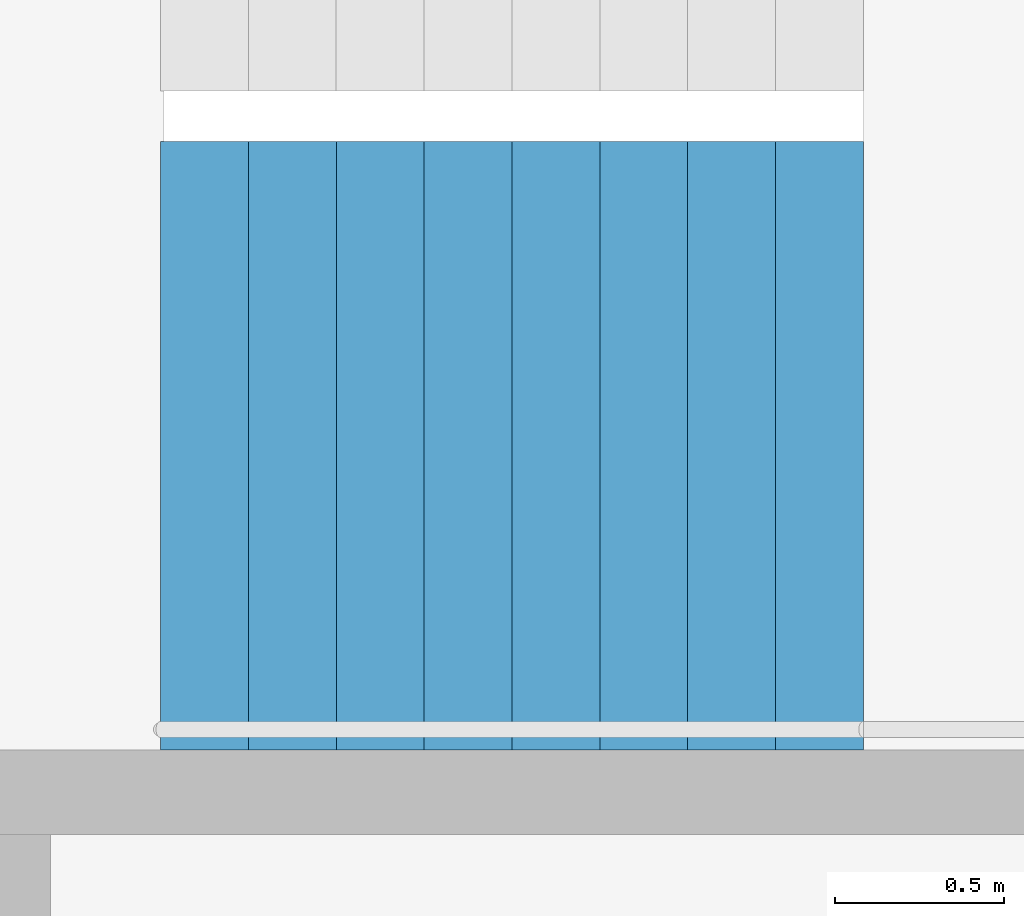
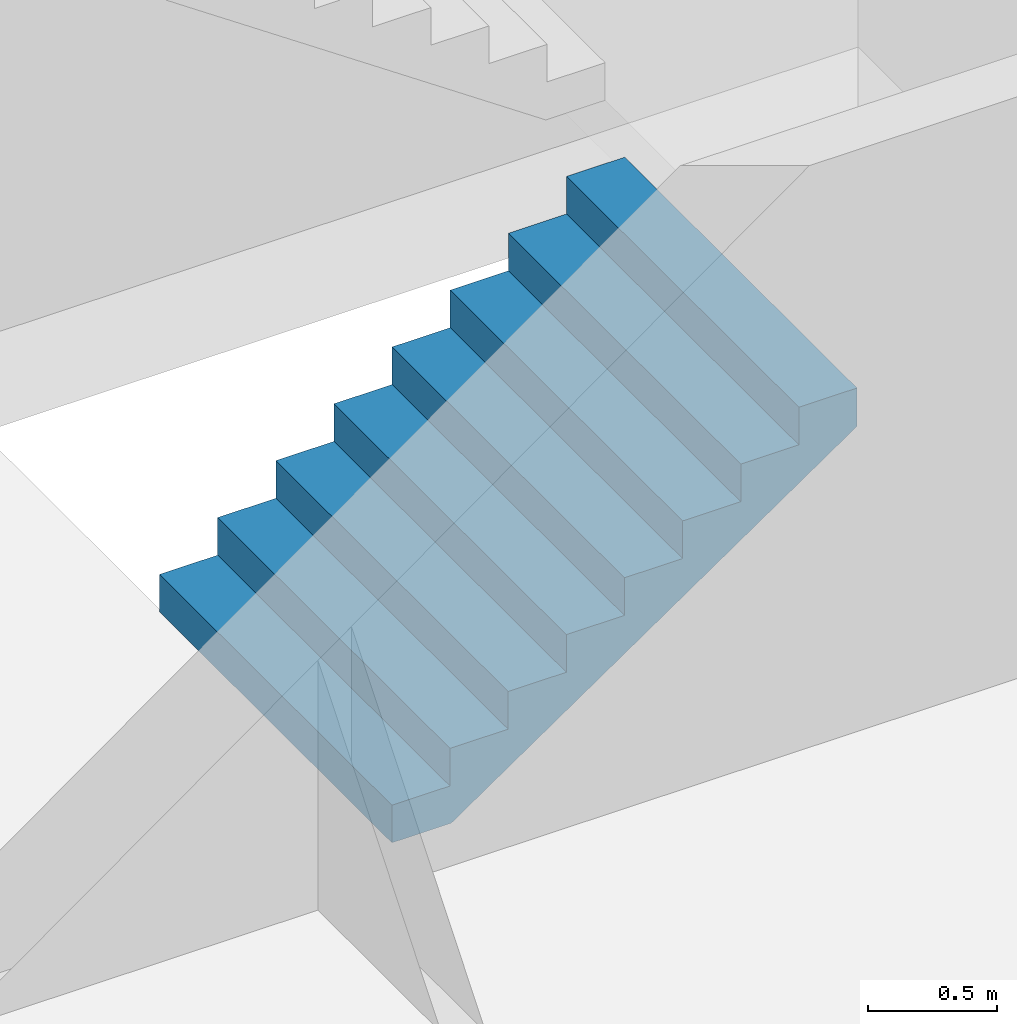
# One storey, part 19 of 25: 1 stair flight, 1 element without a shape of its own.
"""IFC4 building model written with IfcOpenShell, lengths in metres."""

from ifc_helpers import new_model, si_unit, direction, frame, origin, place, context, subcontext, project, spatial, triangles, material, type_object, element, aggregate, save


model = new_model("IFC4")

# Units and contexts
model_context = context("Model", 3, precision=1e-05, world=origin(), true_north=direction((0.0, 1.0)))
body_context = subcontext(model_context, "Body", "Model", "MODEL_VIEW")
ifc_project = project(units=[si_unit("LENGTHUNIT", "METRE"), si_unit("AREAUNIT", "SQUARE_METRE"), si_unit("VOLUMEUNIT", "CUBIC_METRE"), si_unit("PLANEANGLEUNIT", "RADIAN"), si_unit("MASSUNIT", "GRAM", prefix="KILO")], contexts=[model_context])

# Site, building, storey
site_placement = place(None, origin())
site = spatial("IfcSite", under=ifc_project, at=site_placement, CompositionType="ELEMENT")
building_placement = place(site_placement, origin())
building = spatial("IfcBuilding", under=site, at=building_placement, Name="Hakoniwa Tower and Hamabe Station Hall", CompositionType="ELEMENT")
storey_placement = place(building_placement, frame((0.0, 0.0, 186.60009765625)))
storey = spatial("IfcBuildingStorey", under=building, at=storey_placement, Name="L52", CompositionType="ELEMENT", Elevation=186.60009765625)

# Stair, stair flight
ifc_material_1 = material(Name="Concrete C40", Category="concrete")
stair_type = type_object("IfcStairType", Name="ESCAPE STAIR 1800", PredefinedType="HALF_TURN_STAIR", material=ifc_material_1)
stair_placement = place(storey_placement, origin())
stair = element("IfcStair", 1, at=stair_placement, inside=storey, type_object=stair_type, Name="Escape stair ST-1 L52", PredefinedType="HALF_TURN_STAIR")
ifc_material_2 = material(Name="Concrete C40", Category="concrete")
stair_flight_type = type_object("IfcStairFlightType", Name="STAIR FLIGHT 1800", PredefinedType="STRAIGHT", material=ifc_material_2)
stair_flight_placement = place(storey_placement, frame((-24.39990234375, 4.64990234375, 0.0), z_axis=(0.0, 0.0, 1.0), x_axis=(1.0, 0.0, 0.0)))
stair_flight = element("IfcStairFlight", 2, at=stair_flight_placement, type_object=stair_flight_type, Name="ST-1 flight 1", NumberOfRisers=9, NumberOfTreads=8, PredefinedType="STRAIGHT", RiserHeight=0.177777778, TreadLength=0.26, context=body_context, shape_type="Tessellation", body=[
    triangles([(0.0, 0.89990234375, 0.0), (0.260009765625, 0.89990234375, 0.0), (0.265625, 0.89990234375, 0.0), (0.52001953125, 0.89990234375, 0.174072265625), (0.780029296875, 0.89990234375, 0.351806640625), (1.0400390625, 0.89990234375, 0.529541015625), (1.300048828125, 0.89990234375, 0.707275390625), (1.56005859375, 0.89990234375, 0.885009765625), (1.820068359375, 0.89990234375, 1.062744140625), (2.080078125, 0.89990234375, 1.24072265625), (2.080078125, 0.89990234375, 1.422119140625), (1.820068359375, 0.89990234375, 1.422119140625), (1.820068359375, 0.89990234375, 1.244384765625), (1.56005859375, 0.89990234375, 1.244384765625), (1.56005859375, 0.89990234375, 1.066650390625), (1.300048828125, 0.89990234375, 1.066650390625), (1.300048828125, 0.89990234375, 0.888916015625), (1.0400390625, 0.89990234375, 0.888916015625), (1.0400390625, 0.89990234375, 0.711181640625), (0.780029296875, 0.89990234375, 0.711181640625), (0.780029296875, 0.89990234375, 0.533447265625), (0.52001953125, 0.89990234375, 0.533447265625), (0.52001953125, 0.89990234375, 0.35546875), (0.265625, 0.89990234375, 0.35546875), (0.260009765625, 0.89990234375, 0.35546875), (0.260009765625, 0.89990234375, 0.177734375), (0.0, 0.89990234375, 0.177734375), (0.0, 0.06005859375, 0.0), (0.260009765625, 0.06005859375, 0.0), (0.265625, 0.06005859375, 0.0), (0.52001953125, 0.06005859375, 0.174072265625), (0.780029296875, 0.06005859375, 0.351806640625), (1.0400390625, 0.06005859375, 0.529541015625), (1.300048828125, 0.06005859375, 0.707275390625), (1.56005859375, 0.06005859375, 0.885009765625), (1.820068359375, 0.06005859375, 1.062744140625), (2.080078125, 0.06005859375, 1.24072265625), (2.080078125, 0.06005859375, 1.422119140625), (1.820068359375, 0.06005859375, 1.422119140625), (1.820068359375, 0.06005859375, 1.244384765625), (1.56005859375, 0.06005859375, 1.244384765625), (1.56005859375, 0.06005859375, 1.066650390625), (1.300048828125, 0.06005859375, 1.066650390625), (1.300048828125, 0.06005859375, 0.888916015625), (1.0400390625, 0.06005859375, 0.888916015625), (1.0400390625, 0.06005859375, 0.711181640625), (0.780029296875, 0.06005859375, 0.711181640625), (0.780029296875, 0.06005859375, 0.533447265625), (0.52001953125, 0.06005859375, 0.533447265625), (0.52001953125, 0.06005859375, 0.35546875), (0.265625, 0.06005859375, 0.35546875), (0.260009765625, 0.06005859375, 0.35546875), (0.260009765625, 0.06005859375, 0.177734375), (0.0, 0.06005859375, 0.177734375), (0.0, 0.04296875, 0.0), (0.260009765625, 0.04296875, 0.0), (0.265625, 0.04296875, 0.0), (0.52001953125, 0.04296875, 0.174072265625), (0.780029296875, 0.04296875, 0.351806640625), (1.0400390625, 0.04296875, 0.529541015625), (1.300048828125, 0.04296875, 0.707275390625), (1.56005859375, 0.04296875, 0.885009765625), (1.820068359375, 0.04296875, 1.062744140625), (2.080078125, 0.04296875, 1.24072265625), (2.080078125, 0.04296875, 1.422119140625), (1.820068359375, 0.04296875, 1.422119140625), (1.820068359375, 0.04296875, 1.244384765625), (1.56005859375, 0.04296875, 1.244384765625), (1.56005859375, 0.04296875, 1.066650390625), (1.300048828125, 0.04296875, 1.066650390625), (1.300048828125, 0.04296875, 0.888916015625), (1.0400390625, 0.04296875, 0.888916015625), (1.0400390625, 0.04296875, 0.711181640625), (0.780029296875, 0.04296875, 0.711181640625), (0.780029296875, 0.04296875, 0.533447265625), (0.52001953125, 0.04296875, 0.533447265625), (0.52001953125, 0.04296875, 0.35546875), (0.265625, 0.04296875, 0.35546875), (0.260009765625, 0.04296875, 0.35546875), (0.260009765625, 0.04296875, 0.177734375), (0.0, 0.04296875, 0.177734375), (0.0, 0.025634765625, 0.0), (0.260009765625, 0.025634765625, 0.0), (0.265625, 0.025634765625, 0.0), (0.52001953125, 0.025634765625, 0.174072265625), (0.780029296875, 0.025634765625, 0.351806640625), (1.0400390625, 0.025634765625, 0.529541015625), (1.300048828125, 0.025634765625, 0.707275390625), (1.56005859375, 0.025634765625, 0.885009765625), (1.820068359375, 0.025634765625, 1.062744140625), (2.080078125, 0.025634765625, 1.24072265625), (2.080078125, 0.025634765625, 1.422119140625), (1.820068359375, 0.025634765625, 1.422119140625), (1.820068359375, 0.025634765625, 1.244384765625), (1.56005859375, 0.025634765625, 1.244384765625), (1.56005859375, 0.025634765625, 1.066650390625), (1.300048828125, 0.025634765625, 1.066650390625), (1.300048828125, 0.025634765625, 0.888916015625), (1.0400390625, 0.025634765625, 0.888916015625), (1.0400390625, 0.025634765625, 0.711181640625), (0.780029296875, 0.025634765625, 0.711181640625), (0.780029296875, 0.025634765625, 0.533447265625), (0.52001953125, 0.025634765625, 0.533447265625), (0.52001953125, 0.025634765625, 0.35546875), (0.265625, 0.025634765625, 0.35546875), (0.260009765625, 0.025634765625, 0.35546875), (0.260009765625, 0.025634765625, 0.177734375), (0.0, 0.025634765625, 0.177734375), (0.0, 0.008544921875, 0.0), (0.260009765625, 0.008544921875, 0.0), (0.265625, 0.008544921875, 0.0), (0.52001953125, 0.008544921875, 0.174072265625), (0.780029296875, 0.008544921875, 0.351806640625), (1.0400390625, 0.008544921875, 0.529541015625), (1.300048828125, 0.008544921875, 0.707275390625), (1.56005859375, 0.008544921875, 0.885009765625), (1.820068359375, 0.008544921875, 1.062744140625), (2.080078125, 0.008544921875, 1.24072265625), (2.080078125, 0.008544921875, 1.422119140625), (1.820068359375, 0.008544921875, 1.422119140625), (1.820068359375, 0.008544921875, 1.244384765625), (1.56005859375, 0.008544921875, 1.244384765625), (1.56005859375, 0.008544921875, 1.066650390625), (1.300048828125, 0.008544921875, 1.066650390625), (1.300048828125, 0.008544921875, 0.888916015625), (1.0400390625, 0.008544921875, 0.888916015625), (1.0400390625, 0.008544921875, 0.711181640625), (0.780029296875, 0.008544921875, 0.711181640625), (0.780029296875, 0.008544921875, 0.533447265625), (0.52001953125, 0.008544921875, 0.533447265625), (0.52001953125, 0.008544921875, 0.35546875), (0.265625, 0.008544921875, 0.35546875), (0.260009765625, 0.008544921875, 0.35546875), (0.260009765625, 0.008544921875, 0.177734375), (0.0, 0.008544921875, 0.177734375), (0.0, -0.008544921875, 0.0), (0.260009765625, -0.008544921875, 0.0), (0.265625, -0.008544921875, 0.0), (0.52001953125, -0.008544921875, 0.174072265625), (0.780029296875, -0.008544921875, 0.351806640625), (1.0400390625, -0.008544921875, 0.529541015625), (1.300048828125, -0.008544921875, 0.707275390625), (1.56005859375, -0.008544921875, 0.885009765625), (1.820068359375, -0.008544921875, 1.062744140625), (2.080078125, -0.008544921875, 1.24072265625), (2.080078125, -0.008544921875, 1.422119140625), (1.820068359375, -0.008544921875, 1.422119140625), (1.820068359375, -0.008544921875, 1.244384765625), (1.56005859375, -0.008544921875, 1.244384765625), (1.56005859375, -0.008544921875, 1.066650390625), (1.300048828125, -0.008544921875, 1.066650390625), (1.300048828125, -0.008544921875, 0.888916015625), (1.0400390625, -0.008544921875, 0.888916015625), (1.0400390625, -0.008544921875, 0.711181640625), (0.780029296875, -0.008544921875, 0.711181640625), (0.780029296875, -0.008544921875, 0.533447265625), (0.52001953125, -0.008544921875, 0.533447265625), (0.52001953125, -0.008544921875, 0.35546875), (0.265625, -0.008544921875, 0.35546875), (0.260009765625, -0.008544921875, 0.35546875), (0.260009765625, -0.008544921875, 0.177734375), (0.0, -0.008544921875, 0.177734375), (0.0, -0.025634765625, 0.0), (0.260009765625, -0.025634765625, 0.0), (0.265625, -0.025634765625, 0.0), (0.52001953125, -0.025634765625, 0.174072265625), (0.780029296875, -0.025634765625, 0.351806640625), (1.0400390625, -0.025634765625, 0.529541015625), (1.300048828125, -0.025634765625, 0.707275390625), (1.56005859375, -0.025634765625, 0.885009765625), (1.820068359375, -0.025634765625, 1.062744140625), (2.080078125, -0.025634765625, 1.24072265625), (2.080078125, -0.025634765625, 1.422119140625), (1.820068359375, -0.025634765625, 1.422119140625), (1.820068359375, -0.025634765625, 1.244384765625), (1.56005859375, -0.025634765625, 1.244384765625), (1.56005859375, -0.025634765625, 1.066650390625), (1.300048828125, -0.025634765625, 1.066650390625), (1.300048828125, -0.025634765625, 0.888916015625), (1.0400390625, -0.025634765625, 0.888916015625), (1.0400390625, -0.025634765625, 0.711181640625), (0.780029296875, -0.025634765625, 0.711181640625), (0.780029296875, -0.025634765625, 0.533447265625), (0.52001953125, -0.025634765625, 0.533447265625), (0.52001953125, -0.025634765625, 0.35546875), (0.265625, -0.025634765625, 0.35546875), (0.260009765625, -0.025634765625, 0.35546875), (0.260009765625, -0.025634765625, 0.177734375), (0.0, -0.025634765625, 0.177734375), (0.0, -0.04296875, 0.0), (0.260009765625, -0.04296875, 0.0), (0.265625, -0.04296875, 0.0), (0.52001953125, -0.04296875, 0.174072265625), (0.780029296875, -0.04296875, 0.351806640625), (1.0400390625, -0.04296875, 0.529541015625), (1.300048828125, -0.04296875, 0.707275390625), (1.56005859375, -0.04296875, 0.885009765625), (1.820068359375, -0.04296875, 1.062744140625), (2.080078125, -0.04296875, 1.24072265625), (2.080078125, -0.04296875, 1.422119140625), (1.820068359375, -0.04296875, 1.422119140625), (1.820068359375, -0.04296875, 1.244384765625), (1.56005859375, -0.04296875, 1.244384765625), (1.56005859375, -0.04296875, 1.066650390625), (1.300048828125, -0.04296875, 1.066650390625), (1.300048828125, -0.04296875, 0.888916015625), (1.0400390625, -0.04296875, 0.888916015625), (1.0400390625, -0.04296875, 0.711181640625), (0.780029296875, -0.04296875, 0.711181640625), (0.780029296875, -0.04296875, 0.533447265625), (0.52001953125, -0.04296875, 0.533447265625), (0.52001953125, -0.04296875, 0.35546875), (0.265625, -0.04296875, 0.35546875), (0.260009765625, -0.04296875, 0.35546875), (0.260009765625, -0.04296875, 0.177734375), (0.0, -0.04296875, 0.177734375), (0.0, -0.06005859375, 0.0), (0.260009765625, -0.06005859375, 0.0), (0.265625, -0.06005859375, 0.0), (0.52001953125, -0.06005859375, 0.174072265625), (0.780029296875, -0.06005859375, 0.351806640625), (1.0400390625, -0.06005859375, 0.529541015625), (1.300048828125, -0.06005859375, 0.707275390625), (1.56005859375, -0.06005859375, 0.885009765625), (1.820068359375, -0.06005859375, 1.062744140625), (2.080078125, -0.06005859375, 1.24072265625), (2.080078125, -0.06005859375, 1.422119140625), (1.820068359375, -0.06005859375, 1.422119140625), (1.820068359375, -0.06005859375, 1.244384765625), (1.56005859375, -0.06005859375, 1.244384765625), (1.56005859375, -0.06005859375, 1.066650390625), (1.300048828125, -0.06005859375, 1.066650390625), (1.300048828125, -0.06005859375, 0.888916015625), (1.0400390625, -0.06005859375, 0.888916015625), (1.0400390625, -0.06005859375, 0.711181640625), (0.780029296875, -0.06005859375, 0.711181640625), (0.780029296875, -0.06005859375, 0.533447265625), (0.52001953125, -0.06005859375, 0.533447265625), (0.52001953125, -0.06005859375, 0.35546875), (0.265625, -0.06005859375, 0.35546875), (0.260009765625, -0.06005859375, 0.35546875), (0.260009765625, -0.06005859375, 0.177734375), (0.0, -0.06005859375, 0.177734375), (0.0, -0.89990234375, 0.0), (0.260009765625, -0.89990234375, 0.0), (0.265625, -0.89990234375, 0.0), (0.52001953125, -0.89990234375, 0.174072265625), (0.780029296875, -0.89990234375, 0.351806640625), (1.0400390625, -0.89990234375, 0.529541015625), (1.300048828125, -0.89990234375, 0.707275390625), (1.56005859375, -0.89990234375, 0.885009765625), (1.820068359375, -0.89990234375, 1.062744140625), (2.080078125, -0.89990234375, 1.24072265625), (2.080078125, -0.89990234375, 1.422119140625), (1.820068359375, -0.89990234375, 1.422119140625), (1.820068359375, -0.89990234375, 1.244384765625), (1.56005859375, -0.89990234375, 1.244384765625), (1.56005859375, -0.89990234375, 1.066650390625), (1.300048828125, -0.89990234375, 1.066650390625), (1.300048828125, -0.89990234375, 0.888916015625), (1.0400390625, -0.89990234375, 0.888916015625), (1.0400390625, -0.89990234375, 0.711181640625), (0.780029296875, -0.89990234375, 0.711181640625), (0.780029296875, -0.89990234375, 0.533447265625), (0.52001953125, -0.89990234375, 0.533447265625), (0.52001953125, -0.89990234375, 0.35546875), (0.265625, -0.89990234375, 0.35546875), (0.260009765625, -0.89990234375, 0.35546875), (0.260009765625, -0.89990234375, 0.177734375), (0.0, -0.89990234375, 0.177734375)], [[2, 27, 26], [245, 269, 270], [2, 1, 27], [245, 270, 244], [3, 25, 24], [246, 267, 268], [3, 26, 25], [246, 268, 269], [3, 2, 26], [246, 269, 245], [4, 24, 23], [247, 266, 267], [4, 3, 24], [247, 267, 246], [5, 22, 21], [248, 264, 265], [5, 23, 22], [248, 265, 266], [5, 4, 23], [248, 266, 247], [6, 20, 19], [249, 262, 263], [6, 21, 20], [249, 263, 264], [6, 5, 21], [249, 264, 248], [7, 18, 17], [250, 260, 261], [7, 19, 18], [250, 261, 262], [7, 6, 19], [250, 262, 249], [8, 16, 15], [251, 258, 259], [8, 17, 16], [251, 259, 260], [8, 7, 17], [251, 260, 250], [9, 14, 13], [252, 256, 257], [9, 15, 14], [252, 257, 258], [9, 8, 15], [252, 258, 251], [10, 12, 11], [253, 254, 255], [10, 13, 12], [253, 255, 256], [10, 9, 13], [253, 256, 252], [1, 2, 29], [1, 29, 28], [28, 29, 56], [28, 56, 55], [55, 56, 83], [55, 83, 82], [82, 83, 110], [82, 110, 109], [109, 110, 137], [109, 137, 136], [136, 137, 164], [136, 164, 163], [163, 164, 191], [163, 191, 190], [190, 191, 218], [190, 218, 217], [217, 218, 245], [217, 245, 244], [2, 3, 30], [2, 30, 29], [29, 30, 57], [29, 57, 56], [56, 57, 84], [56, 84, 83], [83, 84, 111], [83, 111, 110], [110, 111, 138], [110, 138, 137], [137, 138, 165], [137, 165, 164], [164, 165, 192], [164, 192, 191], [191, 192, 219], [191, 219, 218], [218, 219, 246], [218, 246, 245], [3, 4, 31], [3, 31, 30], [30, 31, 58], [30, 58, 57], [57, 58, 85], [57, 85, 84], [84, 85, 112], [84, 112, 111], [111, 112, 139], [111, 139, 138], [138, 139, 166], [138, 166, 165], [165, 166, 193], [165, 193, 192], [192, 193, 220], [192, 220, 219], [219, 220, 247], [219, 247, 246], [4, 5, 32], [4, 32, 31], [31, 32, 59], [31, 59, 58], [58, 59, 86], [58, 86, 85], [85, 86, 113], [85, 113, 112], [112, 113, 140], [112, 140, 139], [139, 140, 167], [139, 167, 166], [166, 167, 194], [166, 194, 193], [193, 194, 221], [193, 221, 220], [220, 221, 248], [220, 248, 247], [5, 6, 33], [5, 33, 32], [32, 33, 60], [32, 60, 59], [59, 60, 87], [59, 87, 86], [86, 87, 114], [86, 114, 113], [113, 114, 141], [113, 141, 140], [140, 141, 168], [140, 168, 167], [167, 168, 195], [167, 195, 194], [194, 195, 222], [194, 222, 221], [221, 222, 249], [221, 249, 248], [6, 7, 34], [6, 34, 33], [33, 34, 61], [33, 61, 60], [60, 61, 88], [60, 88, 87], [87, 88, 115], [87, 115, 114], [114, 115, 142], [114, 142, 141], [141, 142, 169], [141, 169, 168], [168, 169, 196], [168, 196, 195], [195, 196, 223], [195, 223, 222], [222, 223, 250], [222, 250, 249], [7, 8, 35], [7, 35, 34], [34, 35, 62], [34, 62, 61], [61, 62, 89], [61, 89, 88], [88, 89, 116], [88, 116, 115], [115, 116, 143], [115, 143, 142], [142, 143, 170], [142, 170, 169], [169, 170, 197], [169, 197, 196], [196, 197, 224], [196, 224, 223], [223, 224, 251], [223, 251, 250], [8, 9, 36], [8, 36, 35], [35, 36, 63], [35, 63, 62], [62, 63, 90], [62, 90, 89], [89, 90, 117], [89, 117, 116], [116, 117, 144], [116, 144, 143], [143, 144, 171], [143, 171, 170], [170, 171, 198], [170, 198, 197], [197, 198, 225], [197, 225, 224], [224, 225, 252], [224, 252, 251], [9, 10, 37], [9, 37, 36], [36, 37, 64], [36, 64, 63], [63, 64, 91], [63, 91, 90], [90, 91, 118], [90, 118, 117], [117, 118, 145], [117, 145, 144], [144, 145, 172], [144, 172, 171], [171, 172, 199], [171, 199, 198], [198, 199, 226], [198, 226, 225], [225, 226, 253], [225, 253, 252], [10, 11, 38], [10, 38, 37], [37, 38, 65], [37, 65, 64], [64, 65, 92], [64, 92, 91], [91, 92, 119], [91, 119, 118], [118, 119, 146], [118, 146, 145], [145, 146, 173], [145, 173, 172], [172, 173, 200], [172, 200, 199], [199, 200, 227], [199, 227, 226], [226, 227, 254], [226, 254, 253], [11, 12, 39], [11, 39, 38], [38, 39, 66], [38, 66, 65], [65, 66, 93], [65, 93, 92], [92, 93, 120], [92, 120, 119], [119, 120, 147], [119, 147, 146], [146, 147, 174], [146, 174, 173], [173, 174, 201], [173, 201, 200], [200, 201, 228], [200, 228, 227], [227, 228, 255], [227, 255, 254], [12, 13, 40], [12, 40, 39], [39, 40, 67], [39, 67, 66], [66, 67, 94], [66, 94, 93], [93, 94, 121], [93, 121, 120], [120, 121, 148], [120, 148, 147], [147, 148, 175], [147, 175, 174], [174, 175, 202], [174, 202, 201], [201, 202, 229], [201, 229, 228], [228, 229, 256], [228, 256, 255], [13, 14, 41], [13, 41, 40], [40, 41, 68], [40, 68, 67], [67, 68, 95], [67, 95, 94], [94, 95, 122], [94, 122, 121], [121, 122, 149], [121, 149, 148], [148, 149, 176], [148, 176, 175], [175, 176, 203], [175, 203, 202], [202, 203, 230], [202, 230, 229], [229, 230, 257], [229, 257, 256], [14, 15, 42], [14, 42, 41], [41, 42, 69], [41, 69, 68], [68, 69, 96], [68, 96, 95], [95, 96, 123], [95, 123, 122], [122, 123, 150], [122, 150, 149], [149, 150, 177], [149, 177, 176], [176, 177, 204], [176, 204, 203], [203, 204, 231], [203, 231, 230], [230, 231, 258], [230, 258, 257], [15, 16, 43], [15, 43, 42], [42, 43, 70], [42, 70, 69], [69, 70, 97], [69, 97, 96], [96, 97, 124], [96, 124, 123], [123, 124, 151], [123, 151, 150], [150, 151, 178], [150, 178, 177], [177, 178, 205], [177, 205, 204], [204, 205, 232], [204, 232, 231], [231, 232, 259], [231, 259, 258], [16, 17, 44], [16, 44, 43], [43, 44, 71], [43, 71, 70], [70, 71, 98], [70, 98, 97], [97, 98, 125], [97, 125, 124], [124, 125, 152], [124, 152, 151], [151, 152, 179], [151, 179, 178], [178, 179, 206], [178, 206, 205], [205, 206, 233], [205, 233, 232], [232, 233, 260], [232, 260, 259], [17, 18, 45], [17, 45, 44], [44, 45, 72], [44, 72, 71], [71, 72, 99], [71, 99, 98], [98, 99, 126], [98, 126, 125], [125, 126, 153], [125, 153, 152], [152, 153, 180], [152, 180, 179], [179, 180, 207], [179, 207, 206], [206, 207, 234], [206, 234, 233], [233, 234, 261], [233, 261, 260], [18, 19, 46], [18, 46, 45], [45, 46, 73], [45, 73, 72], [72, 73, 100], [72, 100, 99], [99, 100, 127], [99, 127, 126], [126, 127, 154], [126, 154, 153], [153, 154, 181], [153, 181, 180], [180, 181, 208], [180, 208, 207], [207, 208, 235], [207, 235, 234], [234, 235, 262], [234, 262, 261], [19, 20, 47], [19, 47, 46], [46, 47, 74], [46, 74, 73], [73, 74, 101], [73, 101, 100], [100, 101, 128], [100, 128, 127], [127, 128, 155], [127, 155, 154], [154, 155, 182], [154, 182, 181], [181, 182, 209], [181, 209, 208], [208, 209, 236], [208, 236, 235], [235, 236, 263], [235, 263, 262], [20, 21, 48], [20, 48, 47], [47, 48, 75], [47, 75, 74], [74, 75, 102], [74, 102, 101], [101, 102, 129], [101, 129, 128], [128, 129, 156], [128, 156, 155], [155, 156, 183], [155, 183, 182], [182, 183, 210], [182, 210, 209], [209, 210, 237], [209, 237, 236], [236, 237, 264], [236, 264, 263], [21, 22, 49], [21, 49, 48], [48, 49, 76], [48, 76, 75], [75, 76, 103], [75, 103, 102], [102, 103, 130], [102, 130, 129], [129, 130, 157], [129, 157, 156], [156, 157, 184], [156, 184, 183], [183, 184, 211], [183, 211, 210], [210, 211, 238], [210, 238, 237], [237, 238, 265], [237, 265, 264], [22, 23, 50], [22, 50, 49], [49, 50, 77], [49, 77, 76], [76, 77, 104], [76, 104, 103], [103, 104, 131], [103, 131, 130], [130, 131, 158], [130, 158, 157], [157, 158, 185], [157, 185, 184], [184, 185, 212], [184, 212, 211], [211, 212, 239], [211, 239, 238], [238, 239, 266], [238, 266, 265], [23, 24, 51], [23, 51, 50], [50, 51, 78], [50, 78, 77], [77, 78, 105], [77, 105, 104], [104, 105, 132], [104, 132, 131], [131, 132, 159], [131, 159, 158], [158, 159, 186], [158, 186, 185], [185, 186, 213], [185, 213, 212], [212, 213, 240], [212, 240, 239], [239, 240, 267], [239, 267, 266], [24, 25, 52], [24, 52, 51], [51, 52, 79], [51, 79, 78], [78, 79, 106], [78, 106, 105], [105, 106, 133], [105, 133, 132], [132, 133, 160], [132, 160, 159], [159, 160, 187], [159, 187, 186], [186, 187, 214], [186, 214, 213], [213, 214, 241], [213, 241, 240], [240, 241, 268], [240, 268, 267], [25, 26, 53], [25, 53, 52], [52, 53, 80], [52, 80, 79], [79, 80, 107], [79, 107, 106], [106, 107, 134], [106, 134, 133], [133, 134, 161], [133, 161, 160], [160, 161, 188], [160, 188, 187], [187, 188, 215], [187, 215, 214], [214, 215, 242], [214, 242, 241], [241, 242, 269], [241, 269, 268], [26, 27, 54], [26, 54, 53], [53, 54, 81], [53, 81, 80], [80, 81, 108], [80, 108, 107], [107, 108, 135], [107, 135, 134], [134, 135, 162], [134, 162, 161], [161, 162, 189], [161, 189, 188], [188, 189, 216], [188, 216, 215], [215, 216, 243], [215, 243, 242], [242, 243, 270], [242, 270, 269], [27, 1, 28], [27, 28, 54], [54, 28, 55], [54, 55, 81], [81, 55, 82], [81, 82, 108], [108, 82, 109], [108, 109, 135], [135, 109, 136], [135, 136, 162], [162, 136, 163], [162, 163, 189], [189, 163, 190], [189, 190, 216], [216, 190, 217], [216, 217, 243], [243, 217, 244], [243, 244, 270]], closed=True),
])
aggregate(stair, [stair_flight])

save(model, "model.ifc")
